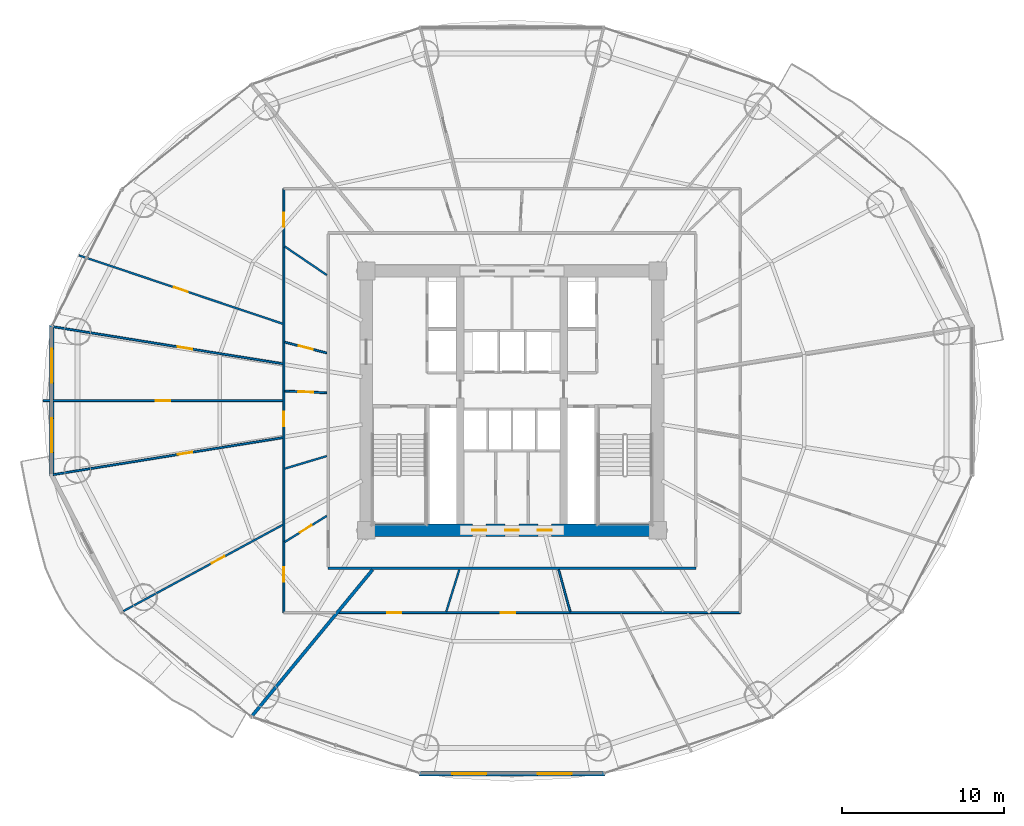
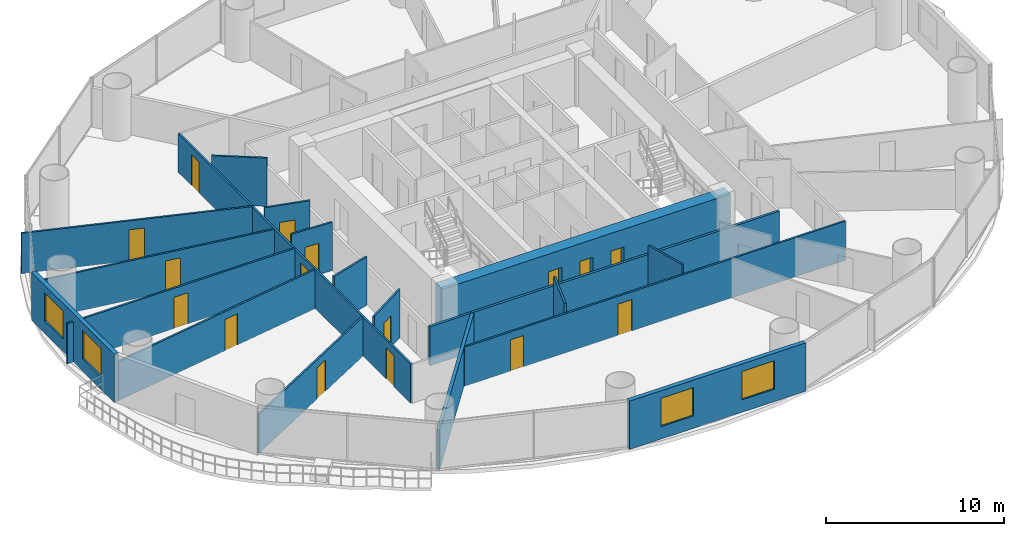
# One storey, part 21 of 28: 19 walls, 16 doors, 4 windows, 20 openings.
"""IFC4 building model written with IfcOpenShell, lengths in metres."""

from ifc_helpers import new_model, si_unit, direction, frame, frame_2d, origin, place, context, subcontext, project, spatial, rectangle, extrude, source, transform, mapped, material, layer, layer_set, type_object, element, fill, save


model = new_model("IFC4")

# Units and contexts
model_context = context("Model", 3, precision=1e-05, world=origin(), true_north=direction((-0.2419218956, 0.970295726276)))
body_context = subcontext(model_context, "Body", "Model", "MODEL_VIEW")
ifc_project = project(units=[si_unit("LENGTHUNIT", "METRE"), si_unit("AREAUNIT", "SQUARE_METRE"), si_unit("VOLUMEUNIT", "CUBIC_METRE"), si_unit("PLANEANGLEUNIT", "RADIAN"), si_unit("MASSUNIT", "GRAM", prefix="KILO")], contexts=[model_context])

# Site, building, storey
site_placement = place(None, origin())
site = spatial("IfcSite", under=ifc_project, at=site_placement, CompositionType="ELEMENT")
building_placement = place(site_placement, origin())
building = spatial("IfcBuilding", under=site, at=building_placement, Name="Cobrevalo Terracotta Tower", CompositionType="ELEMENT")
storey_placement = place(building_placement, frame((0.0, 0.0, 38.39990234375)))
storey = spatial("IfcBuildingStorey", under=building, at=storey_placement, Name="L09", CompositionType="ELEMENT", Elevation=38.39990234375)

# Wall, openings, doors
ifc_material_1 = material(Name="Concrete C60", Category="concrete")
ifc_layer_1 = layer(ifc_material_1, 0.75)
ifc_layer_set_1 = layer_set([ifc_layer_1], Name="Concrete C60")
wall_type_1 = type_object("IfcWallType", Name="Core shear wall 750 mm Concrete C60", PredefinedType="SHEAR", material=ifc_layer_set_1)
wall_1_placement = place(storey_placement, frame((28.625, 18.800048828125, 0.0), z_axis=(0.0, 0.0, 1.0), x_axis=(1.0, 0.0, 0.0)))
wall_1 = element("IfcWall", 1, at=wall_1_placement, inside=storey, type_object=wall_type_1, Name="L09 south core shear wall", PredefinedType="SHEAR", context=body_context, shape_type="SweptSolid", body=[
    extrude(rectangle(XDim=18.75, YDim=0.75, at=frame_2d((9.375, 0.0))), origin(), (0.0, 0.0, 1.0), 3.320068359375),
])
opening_1_placement = place(wall_1_placement, frame((6.927490234375, 0.0, 0.0)))
opening_1 = element("IfcOpeningElement", 2, at=opening_1_placement, cuts=wall_1, Name="Opening ID-22", PredefinedType="OPENING", context=body_context, shape_type="SweptSolid", body=[
    extrude(rectangle(XDim=0.85009765625, YDim=2.10009765625, at=frame_2d((0.425048828125, 1.050048828125))), frame((0.0, 0.385009765625, 0.0), z_axis=(0.0, -1.0, 0.0), x_axis=(1.0, 0.0, 0.0)), (0.0, 0.0, 1.0), 0.77001953125),
])
opening_2_placement = place(wall_1_placement, frame((8.949951171875, 0.0, 0.0)))
opening_2 = element("IfcOpeningElement", 3, at=opening_2_placement, cuts=wall_1, Name="Opening ID-22", PredefinedType="OPENING", context=body_context, shape_type="SweptSolid", body=[
    extrude(rectangle(XDim=0.85009765625, YDim=2.10009765625, at=frame_2d((0.425048828125, 1.050048828125))), frame((0.0, 0.385009765625, 0.0), z_axis=(0.0, -1.0, 0.0), x_axis=(1.0, 0.0, 0.0)), (0.0, 0.0, 1.0), 0.77001953125),
])
opening_3_placement = place(wall_1_placement, frame((10.972412109375, 0.0, 0.0)))
opening_3 = element("IfcOpeningElement", 4, at=opening_3_placement, cuts=wall_1, Name="Opening ID-22", PredefinedType="OPENING", context=body_context, shape_type="SweptSolid", body=[
    extrude(rectangle(XDim=0.85009765625, YDim=2.10009765625, at=frame_2d((0.425048828125, 1.050048828125))), frame((0.0, 0.385009765625, 0.0), z_axis=(0.0, -1.0, 0.0), x_axis=(1.0, 0.0, 0.0)), (0.0, 0.0, 1.0), 0.77001953125),
])
ifc_material_2 = material(Name="Powder-coated steel", Category="steel")
door_type_1 = type_object("IfcDoorType", Name="Riser shaft & meter closet fire access door 850x2100 EI 60", OperationType="NOTDEFINED", PredefinedType="DOOR", material=ifc_material_2)
shared_shape_1 = source(origin(), body_context, "Body", "SweptSolid", [
    extrude(rectangle(XDim=0.85009765625, YDim=2.10009765625, at=frame_2d((0.425048828125, 1.050048828125))), frame((0.0, 0.02490234375, 0.0), z_axis=(0.0, -1.0, 0.0), x_axis=(1.0, 0.0, 0.0)), (0.0, 0.0, 1.0), 0.050048828125),
])
door_1_placement = place(opening_1_placement, origin())
door_1 = element("IfcDoor", 5, at=door_1_placement, inside=storey, type_object=door_type_1, Name="L09 core south plant door HVAC Supply Air Plant", OperationType="SINGLE_SWING_RIGHT", OverallHeight=2.10009765625, OverallWidth=0.85009765625, PredefinedType="DOOR", context=body_context, shape_type="MappedRepresentation", body=[
    mapped(shared_shape_1, transform((0.0, 0.0, 0.0), scale=1.0)),
])
fill(opening_1, door_1)
door_2_placement = place(opening_2_placement, origin())
door_2 = element("IfcDoor", 6, at=door_2_placement, inside=storey, type_object=door_type_1, Name="L09 core south plant door Refuse Chute Store Room", OperationType="SINGLE_SWING_RIGHT", OverallHeight=2.10009765625, OverallWidth=0.85009765625, PredefinedType="DOOR", context=body_context, shape_type="MappedRepresentation", body=[
    mapped(shared_shape_1, transform((0.0, 0.0, 0.0), scale=1.0)),
])
fill(opening_2, door_2)
door_3_placement = place(opening_3_placement, origin())
door_3 = element("IfcDoor", 7, at=door_3_placement, inside=storey, type_object=door_type_1, Name="L09 core south plant door Hydronic Pump Manifold Plant", OperationType="SINGLE_SWING_RIGHT", OverallHeight=2.10009765625, OverallWidth=0.85009765625, PredefinedType="DOOR", context=body_context, shape_type="MappedRepresentation", body=[
    mapped(shared_shape_1, transform((0.0, 0.0, 0.0), scale=1.0)),
])
fill(opening_3, door_3)

# Walls
ifc_material_3 = material(Name="Gypsum board on steel stud", Category="steel")
ifc_layer_2 = layer(ifc_material_3, 0.159912109375)
ifc_layer_set_2 = layer_set([ifc_layer_2], Name="Gypsum board on steel stud")
wall_type_2 = type_object("IfcWallType", Name="Fire-rated corridor acoustic partition wall 160 mm", PredefinedType="PARTITIONING", material=ifc_layer_set_2)
wall_2_placement = place(storey_placement, frame((26.64501953125, 16.445068359375, 0.0), z_axis=(0.0, 0.0, 1.0), x_axis=(1.0, 0.0, 0.0)))
element("IfcWall", 8, at=wall_2_placement, inside=storey, type_object=wall_type_2, Name="L09 interior partition IW-L09-COR-S", PredefinedType="PARTITIONING", context=body_context, shape_type="SweptSolid", body=[
    extrude(rectangle(XDim=22.7099609375, YDim=0.159912109375, at=frame_2d((11.35498046875, 0.0))), origin(), (0.0, 0.0, 1.0), 2.68798828125),
])
ifc_material_4 = material(Name="Autoclaved aerated concrete block", Category="concrete")
ifc_layer_3 = layer(ifc_material_4, 0.199951171875)
ifc_layer_set_3 = layer_set([ifc_layer_3], Name="Autoclaved aerated concrete block")
wall_type_3 = type_object("IfcWallType", Name="Fire-rated stair, shaft & demising masonry wall 200 mm", PredefinedType="PARTITIONING", material=ifc_layer_set_3)
wall_3_placement = place(storey_placement, frame((29.395751953125, 16.364990234375, 0.0), z_axis=(0.0, 0.0, 1.0), x_axis=(-0.636186165667, -0.771535587393, 0.0)))
element("IfcWall", 9, at=wall_3_placement, inside=storey, type_object=wall_type_3, Name="L09 interior partition IW-L09-DEM-3", PredefinedType="PARTITIONING", context=body_context, shape_type="SweptSolid", body=[
    extrude(rectangle(XDim=11.68310546875, YDim=0.199951171875, at=frame_2d((5.841552734375, 0.0))), origin(), (0.0, 0.0, 1.0), 2.68798828125),
])

# Wall, openings, windows
ifc_layer_4 = layer(ifc_material_4, 0.280029296875)
ifc_layer_set_4 = layer_set([ifc_layer_4], Name="Autoclaved aerated concrete block")
wall_type_4 = type_object("IfcWallType", Name="Insulated tower spandrel & pier wall 280 mm with terracotta rainscreen", PredefinedType="SOLIDWALL", material=ifc_layer_set_4)
wall_4_placement = place(storey_placement, frame((9.586669921875, 31.458740234375, 0.0), z_axis=(0.0, 0.0, 1.0), x_axis=(0.0, -1.0, 0.0)))
wall_4 = element("IfcWall", 10, at=wall_4_placement, inside=storey, type_object=wall_type_4, Name="L09 terracotta rainscreen pier wall S08", PredefinedType="SOLIDWALL", context=body_context, shape_type="SweptSolid", body=[
    extrude(rectangle(XDim=9.317626953125, YDim=0.280029296875, at=frame_2d((4.65869140625, 0.0))), origin(), (0.0, 0.0, 1.0), 3.320068359375),
])
opening_4_placement = place(wall_4_placement, frame((1.4658203125, 0.0, 0.85009765625)))
opening_4 = element("IfcOpeningElement", 11, at=opening_4_placement, cuts=wall_4, Name="Opening WN-10", PredefinedType="OPENING", context=body_context, shape_type="SweptSolid", body=[
    extrude(rectangle(XDim=2.10009765625, YDim=1.949951171875, at=frame_2d((1.050048828125, 0.97509765625))), frame((0.0, 0.14990234375, 0.0), z_axis=(0.0, -1.0, 0.0), x_axis=(1.0, 0.0, 0.0)), (0.0, 0.0, 1.0), 0.300048828125),
])
opening_5_placement = place(wall_4_placement, frame((5.751708984375, 0.0, 0.85009765625)))
opening_5 = element("IfcOpeningElement", 12, at=opening_5_placement, cuts=wall_4, Name="Opening WN-10", PredefinedType="OPENING", context=body_context, shape_type="SweptSolid", body=[
    extrude(rectangle(XDim=2.10009765625, YDim=1.949951171875, at=frame_2d((1.050048828125, 0.97509765625))), frame((0.0, 0.14990234375, 0.0), z_axis=(0.0, -1.0, 0.0), x_axis=(1.0, 0.0, 0.0)), (0.0, 0.0, 1.0), 0.300048828125),
])
ifc_material_5 = material(Name="Solar-control low-E double glazing", Category="glass")
window_type = type_object("IfcWindowType", Name="Wide panoramic low-E aluminium window 2100x1950", PartitioningType="SINGLE_PANEL", PredefinedType="WINDOW", material=ifc_material_5)
shared_shape_2 = source(origin(), body_context, "Body", "SweptSolid", [
    extrude(rectangle(XDim=2.10009765625, YDim=1.949951171875, at=frame_2d((1.050048828125, 0.97509765625))), frame((0.0, 0.030029296875, 0.0), z_axis=(0.0, -1.0, 0.0), x_axis=(1.0, 0.0, 0.0)), (0.0, 0.0, 1.0), 0.06005859375),
])
window_1_placement = place(opening_4_placement, origin())
window_1 = element("IfcWindow", 13, at=window_1_placement, inside=storey, type_object=window_type, Name="L09 suite window S08A", OverallHeight=1.949951171875, OverallWidth=2.10009765625, PartitioningType="SINGLE_PANEL", PredefinedType="WINDOW", context=body_context, shape_type="MappedRepresentation", body=[
    mapped(shared_shape_2, transform((0.0, 0.0, 0.0), scale=1.0)),
])
fill(opening_4, window_1)
window_2_placement = place(opening_5_placement, origin())
window_2 = element("IfcWindow", 14, at=window_2_placement, inside=storey, type_object=window_type, Name="L09 suite window S08B", OverallHeight=1.949951171875, OverallWidth=2.10009765625, PartitioningType="SINGLE_PANEL", PredefinedType="WINDOW", context=body_context, shape_type="MappedRepresentation", body=[
    mapped(shared_shape_2, transform((0.0, 0.0, 0.0), scale=1.0)),
])
fill(opening_5, window_2)

wall_5_placement = place(storey_placement, frame((32.268310546875, 3.781005859375, 0.0), z_axis=(0.0, 0.0, 1.0), x_axis=(1.0, 0.0, 0.0)))
wall_5 = element("IfcWall", 15, at=wall_5_placement, inside=storey, type_object=wall_type_4, Name="L09 terracotta rainscreen pier wall S12", PredefinedType="SOLIDWALL", context=body_context, shape_type="SweptSolid", body=[
    extrude(rectangle(XDim=11.46337890625, YDim=0.280029296875, at=frame_2d((5.731689453125, 0.0))), origin(), (0.0, 0.0, 1.0), 3.320068359375),
])
opening_6_placement = place(wall_5_placement, frame((2.045166015625, 0.0, 0.85009765625)))
opening_6 = element("IfcOpeningElement", 16, at=opening_6_placement, cuts=wall_5, Name="Opening WN-10", PredefinedType="OPENING", context=body_context, shape_type="SweptSolid", body=[
    extrude(rectangle(XDim=2.10009765625, YDim=1.949951171875, at=frame_2d((1.050048828125, 0.97509765625))), frame((0.0, 0.14990234375, 0.0), z_axis=(0.0, -1.0, 0.0), x_axis=(1.0, 0.0, 0.0)), (0.0, 0.0, 1.0), 0.300048828125),
])
opening_7_placement = place(wall_5_placement, frame((7.318359375, 0.0, 0.85009765625)))
opening_7 = element("IfcOpeningElement", 17, at=opening_7_placement, cuts=wall_5, Name="Opening WN-10", PredefinedType="OPENING", context=body_context, shape_type="SweptSolid", body=[
    extrude(rectangle(XDim=2.10009765625, YDim=1.949951171875, at=frame_2d((1.050048828125, 0.97509765625))), frame((0.0, 0.14990234375, 0.0), z_axis=(0.0, -1.0, 0.0), x_axis=(1.0, 0.0, 0.0)), (0.0, 0.0, 1.0), 0.300048828125),
])
window_3_placement = place(opening_6_placement, origin())
window_3 = element("IfcWindow", 18, at=window_3_placement, inside=storey, type_object=window_type, Name="L09 suite window S12A", OverallHeight=1.949951171875, OverallWidth=2.10009765625, PartitioningType="SINGLE_PANEL", PredefinedType="WINDOW", context=body_context, shape_type="MappedRepresentation", body=[
    mapped(shared_shape_2, transform((0.0, 0.0, 0.0), scale=1.0)),
])
fill(opening_6, window_3)
window_4_placement = place(opening_7_placement, origin())
window_4 = element("IfcWindow", 19, at=window_4_placement, inside=storey, type_object=window_type, Name="L09 suite window S12B", OverallHeight=1.949951171875, OverallWidth=2.10009765625, PartitioningType="SINGLE_PANEL", PredefinedType="WINDOW", context=body_context, shape_type="MappedRepresentation", body=[
    mapped(shared_shape_2, transform((0.0, 0.0, 0.0), scale=1.0)),
])
fill(opening_7, window_4)

# Wall, openings, doors
ifc_layer_5 = layer(ifc_material_3, 0.1201171875)
ifc_layer_set_5 = layer_set([ifc_layer_5], Name="Gypsum board on steel stud")
wall_type_5 = type_object("IfcWallType", Name="Residential internal acoustic stud partition 120 mm", PredefinedType="PARTITIONING", material=ifc_layer_set_5)
wall_6_placement = place(storey_placement, frame((23.9150390625, 13.715087890625, 0.0), z_axis=(0.0, 0.0, 1.0), x_axis=(0.0, 1.0, 0.0)))
wall_6 = element("IfcWall", 20, at=wall_6_placement, inside=storey, type_object=wall_type_5, Name="L09 interior partition IW-L09-U2-RING1_0", PredefinedType="PARTITIONING", context=body_context, shape_type="SweptSolid", body=[
    extrude(rectangle(XDim=26.169921875, YDim=0.1201171875, at=frame_2d((13.0849609375, 0.0))), origin(), (0.0, 0.0, 1.0), 2.68798828125),
])
opening_8_placement = place(wall_6_placement, frame((1.894775390625, 0.0, 0.0)))
opening_8 = element("IfcOpeningElement", 21, at=opening_8_placement, cuts=wall_6, Name="Opening ID-12", PredefinedType="OPENING", context=body_context, shape_type="SweptSolid", body=[
    extrude(rectangle(XDim=0.89990234375, YDim=2.14990234375, at=frame_2d((0.449951171875, 1.074951171875))), frame((0.0, 0.070068359375, 0.0), z_axis=(0.0, -1.0, 0.0), x_axis=(1.0, 0.0, 0.0)), (0.0, 0.0, 1.0), 0.14013671875),
])
opening_9_placement = place(wall_6_placement, frame((11.498291015625, 0.0, 0.0)))
opening_9 = element("IfcOpeningElement", 22, at=opening_9_placement, cuts=wall_6, Name="Opening ID-12", PredefinedType="OPENING", context=body_context, shape_type="SweptSolid", body=[
    extrude(rectangle(XDim=0.89990234375, YDim=2.14990234375, at=frame_2d((0.449951171875, 1.074951171875))), frame((0.0, 0.070068359375, 0.0), z_axis=(0.0, -1.0, 0.0), x_axis=(1.0, 0.0, 0.0)), (0.0, 0.0, 1.0), 0.14013671875),
])
opening_10_placement = place(wall_6_placement, frame((23.83056640625, 0.0, 0.0)))
opening_10 = element("IfcOpeningElement", 23, at=opening_10_placement, cuts=wall_6, Name="Opening ID-19", PredefinedType="OPENING", context=body_context, shape_type="SweptSolid", body=[
    extrude(rectangle(XDim=0.860107421875, YDim=2.14990234375, at=frame_2d((0.43017578125, 1.074951171875))), frame((0.0, 0.070068359375, 0.0), z_axis=(0.0, -1.0, 0.0), x_axis=(1.0, 0.0, 0.0)), (0.0, 0.0, 1.0), 0.14013671875),
])
ifc_material_6 = material(Name="Moisture-sealed timber", Category="wood")
door_type_2 = type_object("IfcDoorType", Name="Suite bathroom internal timber door 860x2150", OperationType="NOTDEFINED", PredefinedType="DOOR", material=ifc_material_6)
shared_shape_3 = source(origin(), body_context, "Body", "SweptSolid", [
    extrude(rectangle(XDim=0.860107421875, YDim=2.14990234375, at=frame_2d((0.43017578125, 1.074951171875))), frame((0.0, 0.02490234375, 0.0), z_axis=(0.0, -1.0, 0.0), x_axis=(1.0, 0.0, 0.0)), (0.0, 0.0, 1.0), 0.050048828125),
])
door_4_placement = place(opening_10_placement, frame((0.860107421875, 0.0, 0.0), z_axis=(0.0, 0.0, 1.0), x_axis=(-1.0, 0.0, 0.0)))
door_4 = element("IfcDoor", 24, at=door_4_placement, inside=storey, type_object=door_type_2, Name="Flat L09B Guest Bathroom internal door", OperationType="SINGLE_SWING_LEFT", OverallHeight=2.14990234375, OverallWidth=0.860107421875, PredefinedType="DOOR", context=body_context, shape_type="MappedRepresentation", body=[
    mapped(shared_shape_3, transform((0.0, 0.0, 0.0), scale=1.0)),
])
fill(opening_10, door_4)
ifc_material_7 = material(Name="Engineered timber", Category="wood")
door_type_3 = type_object("IfcDoorType", Name="Internal residence & suite timber door 900x2150", OperationType="NOTDEFINED", PredefinedType="DOOR", material=ifc_material_7)
shared_shape_4 = source(origin(), body_context, "Body", "SweptSolid", [
    extrude(rectangle(XDim=0.89990234375, YDim=2.14990234375, at=frame_2d((0.449951171875, 1.074951171875))), frame((0.0, 0.02490234375, 0.0), z_axis=(0.0, -1.0, 0.0), x_axis=(1.0, 0.0, 0.0)), (0.0, 0.0, 1.0), 0.050048828125),
])
door_5_placement = place(opening_8_placement, origin())
door_5 = element("IfcDoor", 25, at=door_5_placement, inside=storey, type_object=door_type_3, Name="Flat L09B Penthouse Family Lounge internal door", OperationType="SINGLE_SWING_RIGHT", OverallHeight=2.14990234375, OverallWidth=0.89990234375, PredefinedType="DOOR", context=body_context, shape_type="MappedRepresentation", body=[
    mapped(shared_shape_4, transform((0.0, 0.0, 0.0), scale=1.0)),
])
fill(opening_8, door_5)
door_6_placement = place(opening_9_placement, frame((0.89990234375, 0.0, 0.0), z_axis=(0.0, 0.0, 1.0), x_axis=(-1.0, 0.0, 0.0)))
door_6 = element("IfcDoor", 26, at=door_6_placement, inside=storey, type_object=door_type_3, Name="Flat L09B Kitchen internal door", OperationType="SINGLE_SWING_LEFT", OverallHeight=2.14990234375, OverallWidth=0.89990234375, PredefinedType="DOOR", context=body_context, shape_type="MappedRepresentation", body=[
    mapped(shared_shape_4, transform((0.0, 0.0, 0.0), scale=1.0)),
])
fill(opening_9, door_6)

# Wall, opening, door
wall_7_placement = place(storey_placement, frame((23.856201171875, 31.54736328125, 0.0), z_axis=(0.0, 0.0, 1.0), x_axis=(-0.948017487737, 0.318218231634, 0.0)))
wall_7 = element("IfcWall", 27, at=wall_7_placement, inside=storey, type_object=wall_type_5, Name="L09 interior partition IW-L09-U2-ORAD1", PredefinedType="PARTITIONING", context=body_context, shape_type="SweptSolid", body=[
    extrude(rectangle(XDim=13.27880859375, YDim=0.1201171875, at=frame_2d((6.639404296875, 0.0))), origin(), (0.0, 0.0, 1.0), 2.76220703125),
])
opening_11_placement = place(wall_7_placement, frame((6.189453125, 0.0, 0.0)))
opening_11 = element("IfcOpeningElement", 28, at=opening_11_placement, cuts=wall_7, Name="Opening ID-12", PredefinedType="OPENING", context=body_context, shape_type="SweptSolid", body=[
    extrude(rectangle(XDim=0.89990234375, YDim=2.14990234375, at=frame_2d((0.449951171875, 1.074951171875))), frame((0.0, 0.070068359375, 0.0), z_axis=(0.0, -1.0, 0.0), x_axis=(1.0, 0.0, 0.0)), (0.0, 0.0, 1.0), 0.14013671875),
])
door_7_placement = place(opening_11_placement, frame((0.89990234375, 0.0, 0.0), z_axis=(0.0, 0.0, 1.0), x_axis=(-1.0, 0.0, 0.0)))
door_7 = element("IfcDoor", 29, at=door_7_placement, inside=storey, type_object=door_type_3, Name="Flat L09B Penthouse Living and Dining Room internal door", OperationType="SINGLE_SWING_RIGHT", OverallHeight=2.14990234375, OverallWidth=0.89990234375, PredefinedType="DOOR", context=body_context, shape_type="MappedRepresentation", body=[
    mapped(shared_shape_4, transform((0.0, 0.0, 0.0), scale=1.0)),
])
fill(opening_11, door_7)

wall_8_placement = place(storey_placement, frame((23.853759765625, 29.080078125, 0.0), z_axis=(0.0, 0.0, 1.0), x_axis=(-0.987255773689, 0.159141563768, 0.0)))
wall_8 = element("IfcWall", 30, at=wall_8_placement, inside=storey, type_object=wall_type_5, Name="L09 interior partition IW-L09-U2-ORAD2M1", PredefinedType="PARTITIONING", context=body_context, shape_type="SweptSolid", body=[
    extrude(rectangle(XDim=14.359375, YDim=0.1201171875, at=frame_2d((7.1796875, 0.0))), origin(), (0.0, 0.0, 1.0), 2.68798828125),
])
opening_12_placement = place(wall_8_placement, frame((5.65966796875, 0.0, 0.0)))
opening_12 = element("IfcOpeningElement", 31, at=opening_12_placement, cuts=wall_8, Name="Opening ID-12", PredefinedType="OPENING", context=body_context, shape_type="SweptSolid", body=[
    extrude(rectangle(XDim=0.89990234375, YDim=2.14990234375, at=frame_2d((0.449951171875, 1.074951171875))), frame((0.0, 0.070068359375, 0.0), z_axis=(0.0, -1.0, 0.0), x_axis=(1.0, 0.0, 0.0)), (0.0, 0.0, 1.0), 0.14013671875),
])
door_8_placement = place(opening_12_placement, frame((0.89990234375, 0.0, 0.0), z_axis=(0.0, 0.0, 1.0), x_axis=(-1.0, 0.0, 0.0)))
door_8 = element("IfcDoor", 32, at=door_8_placement, inside=storey, type_object=door_type_3, Name="Flat L09B Master Bedroom internal door", OperationType="SINGLE_SWING_LEFT", OverallHeight=2.14990234375, OverallWidth=0.89990234375, PredefinedType="DOOR", context=body_context, shape_type="MappedRepresentation", body=[
    mapped(shared_shape_4, transform((0.0, 0.0, 0.0), scale=1.0)),
])
fill(opening_12, door_8)

wall_9_placement = place(storey_placement, frame((23.85302734375, 26.800048828125, 0.0), z_axis=(0.0, 0.0, 1.0), x_axis=(-1.0, 0.0, 0.0)))
wall_9 = element("IfcWall", 33, at=wall_9_placement, inside=storey, type_object=wall_type_5, Name="L09 interior partition IW-L09-U2-ORAD2M2", PredefinedType="PARTITIONING", context=body_context, shape_type="SweptSolid", body=[
    extrude(rectangle(XDim=14.79296875, YDim=0.1201171875, at=frame_2d((7.396484375, 0.0))), origin(), (0.0, 0.0, 1.0), 2.76220703125),
])
opening_13_placement = place(wall_9_placement, frame((6.946533203125, 0.0, 0.0)))
opening_13 = element("IfcOpeningElement", 34, at=opening_13_placement, cuts=wall_9, Name="Opening ID-12", PredefinedType="OPENING", context=body_context, shape_type="SweptSolid", body=[
    extrude(rectangle(XDim=0.89990234375, YDim=2.14990234375, at=frame_2d((0.449951171875, 1.074951171875))), frame((0.0, 0.070068359375, 0.0), z_axis=(0.0, -1.0, 0.0), x_axis=(1.0, 0.0, 0.0)), (0.0, 0.0, 1.0), 0.14013671875),
])
door_9_placement = place(opening_13_placement, frame((0.89990234375, 0.0, 0.0), z_axis=(0.0, 0.0, 1.0), x_axis=(-1.0, 0.0, 0.0)))
door_9 = element("IfcDoor", 35, at=door_9_placement, inside=storey, type_object=door_type_3, Name="Flat L09B Principal Guest Bedroom internal door", OperationType="SINGLE_SWING_LEFT", OverallHeight=2.14990234375, OverallWidth=0.89990234375, PredefinedType="DOOR", context=body_context, shape_type="MappedRepresentation", body=[
    mapped(shared_shape_4, transform((0.0, 0.0, 0.0), scale=1.0)),
])
fill(opening_13, door_9)

wall_10_placement = place(storey_placement, frame((23.853759765625, 24.519775390625, 0.0), z_axis=(0.0, 0.0, 1.0), x_axis=(-0.987258444847, -0.159124991997, 0.0)))
wall_10 = element("IfcWall", 36, at=wall_10_placement, inside=storey, type_object=wall_type_5, Name="L09 interior partition IW-L09-U2-ORAD2", PredefinedType="PARTITIONING", context=body_context, shape_type="SweptSolid", body=[
    extrude(rectangle(XDim=14.359130859375, YDim=0.1201171875, at=frame_2d((7.1796875, 0.0))), origin(), (0.0, 0.0, 1.0), 2.68798828125),
])
opening_14_placement = place(wall_10_placement, frame((5.658935546875, 0.0, 0.0)))
opening_14 = element("IfcOpeningElement", 37, at=opening_14_placement, cuts=wall_10, Name="Opening ID-12", PredefinedType="OPENING", context=body_context, shape_type="SweptSolid", body=[
    extrude(rectangle(XDim=0.89990234375, YDim=2.14990234375, at=frame_2d((0.449951171875, 1.074951171875))), frame((0.0, 0.070068359375, 0.0), z_axis=(0.0, -1.0, 0.0), x_axis=(1.0, 0.0, 0.0)), (0.0, 0.0, 1.0), 0.14013671875),
])
door_10_placement = place(opening_14_placement, frame((0.89990234375, 0.0, 0.0), z_axis=(0.0, 0.0, 1.0), x_axis=(-1.0, 0.0, 0.0)))
door_10 = element("IfcDoor", 38, at=door_10_placement, inside=storey, type_object=door_type_3, Name="Flat L09B Principal Guest Bedroom internal door", OperationType="SINGLE_SWING_RIGHT", OverallHeight=2.14990234375, OverallWidth=0.89990234375, PredefinedType="DOOR", context=body_context, shape_type="MappedRepresentation", body=[
    mapped(shared_shape_4, transform((0.0, 0.0, 0.0), scale=1.0)),
])
fill(opening_14, door_10)

wall_11_placement = place(storey_placement, frame((23.860595703125, 19.14404296875, 0.0), z_axis=(0.0, 0.0, 1.0), x_axis=(-0.879372452045, -0.476134529922, 0.0)))
wall_11 = element("IfcWall", 39, at=wall_11_placement, inside=storey, type_object=wall_type_5, Name="L09 interior partition IW-L09-U2-ORAD3", PredefinedType="PARTITIONING", context=body_context, shape_type="SweptSolid", body=[
    extrude(rectangle(XDim=11.219482421875, YDim=0.1201171875, at=frame_2d((5.60986328125, 0.0))), origin(), (0.0, 0.0, 1.0), 2.68798828125),
])
opening_15_placement = place(wall_11_placement, frame((4.0966796875, 0.0, 0.0)))
opening_15 = element("IfcOpeningElement", 40, at=opening_15_placement, cuts=wall_11, Name="Opening ID-12", PredefinedType="OPENING", context=body_context, shape_type="SweptSolid", body=[
    extrude(rectangle(XDim=0.89990234375, YDim=2.14990234375, at=frame_2d((0.449951171875, 1.074951171875))), frame((0.0, 0.070068359375, 0.0), z_axis=(0.0, -1.0, 0.0), x_axis=(1.0, 0.0, 0.0)), (0.0, 0.0, 1.0), 0.14013671875),
])
door_11_placement = place(opening_15_placement, frame((0.89990234375, 0.0, 0.0), z_axis=(0.0, 0.0, 1.0), x_axis=(-1.0, 0.0, 0.0)))
door_11 = element("IfcDoor", 41, at=door_11_placement, inside=storey, type_object=door_type_3, Name="Flat L09B Penthouse Family Lounge internal door", OperationType="SINGLE_SWING_LEFT", OverallHeight=2.14990234375, OverallWidth=0.89990234375, PredefinedType="DOOR", context=body_context, shape_type="MappedRepresentation", body=[
    mapped(shared_shape_4, transform((0.0, 0.0, 0.0), scale=1.0)),
])
fill(opening_15, door_11)

# Wall
wall_12_placement = place(storey_placement, frame((26.56494140625, 34.55810546875, 0.0), z_axis=(0.0, 0.0, 1.0), x_axis=(-0.827501574847, 0.561463394734, 0.0)))
element("IfcWall", 42, at=wall_12_placement, inside=storey, type_object=wall_type_5, Name="L09 interior partition IW-L09-U2-IRAD1", PredefinedType="PARTITIONING", context=body_context, shape_type="SweptSolid", body=[
    extrude(rectangle(XDim=3.140380859375, YDim=0.1201171875, at=frame_2d((1.5703125, 0.0))), origin(), (0.0, 0.0, 1.0), 3.320068359375),
])

# Wall, opening, door
wall_13_placement = place(storey_placement, frame((26.56494140625, 29.743896484375, 0.0), z_axis=(0.0, 0.0, 1.0), x_axis=(-0.968421803088, 0.249317490972, 0.0)))
wall_13 = element("IfcWall", 43, at=wall_13_placement, inside=storey, type_object=wall_type_5, Name="L09 interior partition IW-L09-U2-IRAD2", PredefinedType="PARTITIONING", context=body_context, shape_type="SweptSolid", body=[
    extrude(rectangle(XDim=2.67431640625, YDim=0.1201171875, at=frame_2d((1.337158203125, 0.0))), origin(), (0.0, 0.0, 1.0), 3.320068359375),
])
opening_16_placement = place(wall_13_placement, frame((0.88720703125, 0.0, 0.0)))
opening_16 = element("IfcOpeningElement", 44, at=opening_16_placement, cuts=wall_13, Name="Opening ID-12", PredefinedType="OPENING", context=body_context, shape_type="SweptSolid", body=[
    extrude(rectangle(XDim=0.89990234375, YDim=2.14990234375, at=frame_2d((0.449951171875, 1.074951171875))), frame((0.0, 0.070068359375, 0.0), z_axis=(0.0, -1.0, 0.0), x_axis=(1.0, 0.0, 0.0)), (0.0, 0.0, 1.0), 0.14013671875),
])
door_12_placement = place(opening_16_placement, frame((0.89990234375, 0.0, 0.0), z_axis=(0.0, 0.0, 1.0), x_axis=(-1.0, 0.0, 0.0)))
door_12 = element("IfcDoor", 45, at=door_12_placement, inside=storey, type_object=door_type_3, Name="Flat L09B Home Office Study internal door", OperationType="SINGLE_SWING_RIGHT", OverallHeight=2.14990234375, OverallWidth=0.89990234375, PredefinedType="DOOR", context=body_context, shape_type="MappedRepresentation", body=[
    mapped(shared_shape_4, transform((0.0, 0.0, 0.0), scale=1.0)),
])
fill(opening_16, door_12)

wall_14_placement = place(storey_placement, frame((26.56494140625, 27.28564453125, 0.0), z_axis=(0.0, 0.0, 1.0), x_axis=(-0.999100094808, 0.042414626666, 0.0)))
wall_14 = element("IfcWall", 46, at=wall_14_placement, inside=storey, type_object=wall_type_5, Name="L09 interior partition IW-L09-U2-IRAD3", PredefinedType="PARTITIONING", context=body_context, shape_type="SweptSolid", body=[
    extrude(rectangle(XDim=2.59033203125, YDim=0.1201171875, at=frame_2d((1.295166015625, 0.0))), origin(), (0.0, 0.0, 1.0), 3.320068359375),
])
opening_17_placement = place(wall_14_placement, frame((0.84521484375, 0.0, 0.0)))
opening_17 = element("IfcOpeningElement", 47, at=opening_17_placement, cuts=wall_14, Name="Opening ID-12", PredefinedType="OPENING", context=body_context, shape_type="SweptSolid", body=[
    extrude(rectangle(XDim=0.89990234375, YDim=2.14990234375, at=frame_2d((0.449951171875, 1.074951171875))), frame((0.0, 0.070068359375, 0.0), z_axis=(0.0, -1.0, 0.0), x_axis=(1.0, 0.0, 0.0)), (0.0, 0.0, 1.0), 0.14013671875),
])
door_13_placement = place(opening_17_placement, frame((0.89990234375, 0.0, 0.0), z_axis=(0.0, 0.0, 1.0), x_axis=(-1.0, 0.0, 0.0)))
door_13 = element("IfcDoor", 48, at=door_13_placement, inside=storey, type_object=door_type_3, Name="Flat L09B Utility Closet internal door", OperationType="SINGLE_SWING_RIGHT", OverallHeight=2.14990234375, OverallWidth=0.89990234375, PredefinedType="DOOR", context=body_context, shape_type="MappedRepresentation", body=[
    mapped(shared_shape_4, transform((0.0, 0.0, 0.0), scale=1.0)),
])
fill(opening_17, door_13)

# Wall
wall_15_placement = place(storey_placement, frame((26.56494140625, 23.381591796875, 0.0), z_axis=(0.0, 0.0, 1.0), x_axis=(-0.958081868855, -0.286494559408, 0.0)))
element("IfcWall", 49, at=wall_15_placement, inside=storey, type_object=wall_type_5, Name="L09 interior partition IW-L09-U2-IRAD4", PredefinedType="PARTITIONING", context=body_context, shape_type="SweptSolid", body=[
    extrude(rectangle(XDim=2.703857421875, YDim=0.1201171875, at=frame_2d((1.35205078125, 0.0))), origin(), (0.0, 0.0, 1.0), 3.320068359375),
])

# Wall, opening, door
wall_16_placement = place(storey_placement, frame((26.56494140625, 19.689697265625, 0.0), z_axis=(0.0, 0.0, 1.0), x_axis=(-0.849229217796, -0.52802437031, 0.0)))
wall_16 = element("IfcWall", 50, at=wall_16_placement, inside=storey, type_object=wall_type_5, Name="L09 interior partition IW-L09-U2-IRAD5", PredefinedType="PARTITIONING", context=body_context, shape_type="SweptSolid", body=[
    extrude(rectangle(XDim=3.05859375, YDim=0.1201171875, at=frame_2d((1.529296875, 0.0))), origin(), (0.0, 0.0, 1.0), 3.320068359375),
])
opening_18_placement = place(wall_16_placement, frame((1.099365234375, 0.0, 0.0)))
opening_18 = element("IfcOpeningElement", 51, at=opening_18_placement, cuts=wall_16, Name="Opening ID-19", PredefinedType="OPENING", context=body_context, shape_type="SweptSolid", body=[
    extrude(rectangle(XDim=0.860107421875, YDim=2.14990234375, at=frame_2d((0.43017578125, 1.074951171875))), frame((0.0, 0.070068359375, 0.0), z_axis=(0.0, -1.0, 0.0), x_axis=(1.0, 0.0, 0.0)), (0.0, 0.0, 1.0), 0.14013671875),
])
door_14_placement = place(opening_18_placement, frame((0.860107421875, 0.0, 0.0), z_axis=(0.0, 0.0, 1.0), x_axis=(-1.0, 0.0, 0.0)))
door_14 = element("IfcDoor", 52, at=door_14_placement, inside=storey, type_object=door_type_2, Name="Flat L09B Primary Bathroom internal door", OperationType="SINGLE_SWING_LEFT", OverallHeight=2.14990234375, OverallWidth=0.860107421875, PredefinedType="DOOR", context=body_context, shape_type="MappedRepresentation", body=[
    mapped(shared_shape_3, transform((0.0, 0.0, 0.0), scale=1.0)),
])
fill(opening_18, door_14)

# Wall, openings, doors
wall_17_placement = place(storey_placement, frame((52.0849609375, 13.715087890625, 0.0), z_axis=(0.0, 0.0, 1.0), x_axis=(-1.0, 0.0, 0.0)))
wall_17 = element("IfcWall", 53, at=wall_17_placement, inside=storey, type_object=wall_type_5, Name="L09 interior partition IW-L09-U3-RING1_0", PredefinedType="PARTITIONING", context=body_context, shape_type="SweptSolid", body=[
    extrude(rectangle(XDim=24.7724609375, YDim=0.1201171875, at=frame_2d((12.38623046875, 0.0))), origin(), (0.0, 0.0, 1.0), 2.68798828125),
])
opening_19_placement = place(wall_17_placement, frame((20.912109375, 0.0, 0.0)))
opening_19 = element("IfcOpeningElement", 54, at=opening_19_placement, cuts=wall_17, Name="Opening ID-19", PredefinedType="OPENING", context=body_context, shape_type="SweptSolid", body=[
    extrude(rectangle(XDim=0.860107421875, YDim=2.14990234375, at=frame_2d((0.43017578125, 1.074951171875))), frame((0.0, 0.070068359375, 0.0), z_axis=(0.0, -1.0, 0.0), x_axis=(1.0, 0.0, 0.0)), (0.0, 0.0, 1.0), 0.14013671875),
])
opening_20_placement = place(wall_17_placement, frame((13.86962890625, 0.0, 0.0)))
opening_20 = element("IfcOpeningElement", 55, at=opening_20_placement, cuts=wall_17, Name="Opening ID-12", PredefinedType="OPENING", context=body_context, shape_type="SweptSolid", body=[
    extrude(rectangle(XDim=0.89990234375, YDim=2.14990234375, at=frame_2d((0.449951171875, 1.074951171875))), frame((0.0, 0.070068359375, 0.0), z_axis=(0.0, -1.0, 0.0), x_axis=(1.0, 0.0, 0.0)), (0.0, 0.0, 1.0), 0.14013671875),
])
door_15_placement = place(opening_19_placement, frame((0.860107421875, 0.0, 0.0), z_axis=(0.0, 0.0, 1.0), x_axis=(-1.0, 0.0, 0.0)))
door_15 = element("IfcDoor", 56, at=door_15_placement, inside=storey, type_object=door_type_2, Name="Flat L09C Guest Bathroom internal door", OperationType="SINGLE_SWING_LEFT", OverallHeight=2.14990234375, OverallWidth=0.860107421875, PredefinedType="DOOR", context=body_context, shape_type="MappedRepresentation", body=[
    mapped(shared_shape_3, transform((0.0, 0.0, 0.0), scale=1.0)),
])
fill(opening_19, door_15)
door_16_placement = place(opening_20_placement, frame((0.89990234375, 0.0, 0.0), z_axis=(0.0, 0.0, 1.0), x_axis=(-1.0, 0.0, 0.0)))
door_16 = element("IfcDoor", 57, at=door_16_placement, inside=storey, type_object=door_type_3, Name="Flat L09C Utility Closet internal door", OperationType="SINGLE_SWING_RIGHT", OverallHeight=2.14990234375, OverallWidth=0.89990234375, PredefinedType="DOOR", context=body_context, shape_type="MappedRepresentation", body=[
    mapped(shared_shape_4, transform((0.0, 0.0, 0.0), scale=1.0)),
])
fill(opening_20, door_16)

# Walls
wall_18_placement = place(storey_placement, frame((34.74755859375, 16.364990234375, 0.0), z_axis=(0.0, 0.0, 1.0), x_axis=(-0.297598752493, -0.954691040345, 0.0)))
element("IfcWall", 58, at=wall_18_placement, inside=storey, type_object=wall_type_5, Name="L09 interior partition IW-L09-U3-IRAD1", PredefinedType="PARTITIONING", context=body_context, shape_type="SweptSolid", body=[
    extrude(rectangle(XDim=2.7138671875, YDim=0.1201171875, at=frame_2d((1.35693359375, 0.0))), origin(), (0.0, 0.0, 1.0), 3.320068359375),
])
wall_19_placement = place(storey_placement, frame((40.87841796875, 16.364990234375, 0.0), z_axis=(0.0, 0.0, 1.0), x_axis=(0.265853298244, -0.964013497734, 0.0)))
element("IfcWall", 59, at=wall_19_placement, inside=storey, type_object=wall_type_5, Name="L09 interior partition IW-L09-U3-IRAD2", PredefinedType="PARTITIONING", context=body_context, shape_type="SweptSolid", body=[
    extrude(rectangle(XDim=2.68701171875, YDim=0.1201171875, at=frame_2d((1.343505859375, 0.0))), origin(), (0.0, 0.0, 1.0), 3.320068359375),
])

save(model, "model.ifc")
